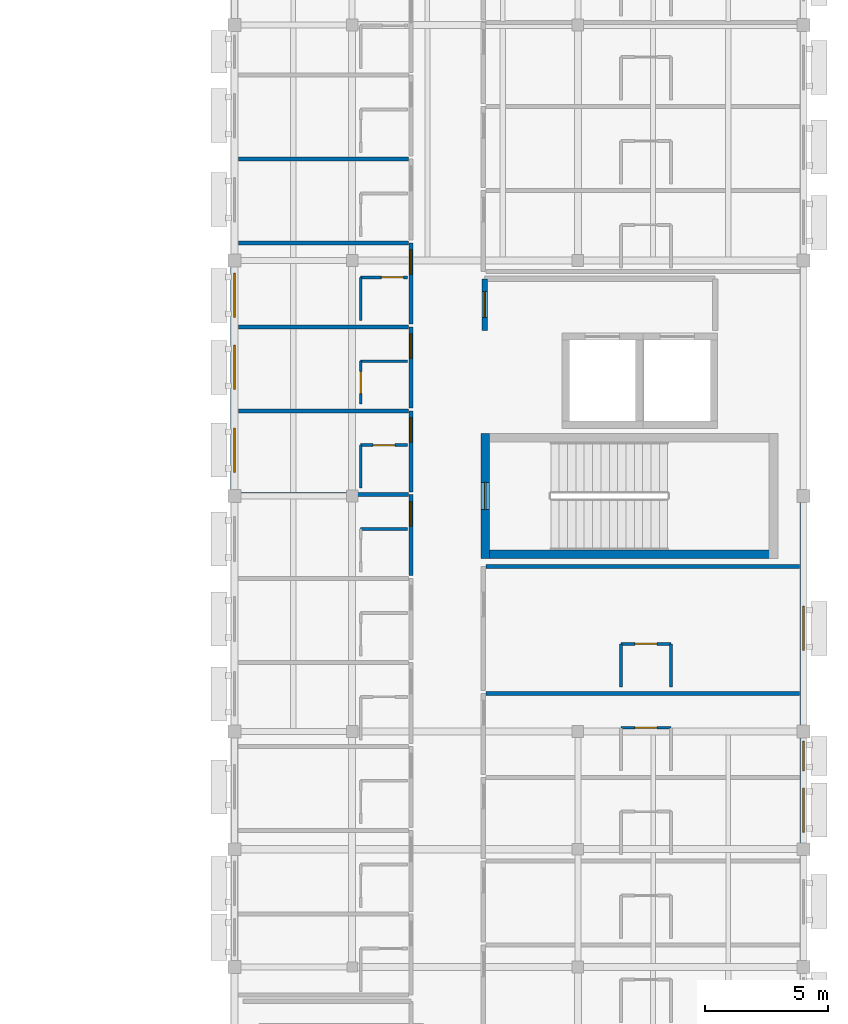
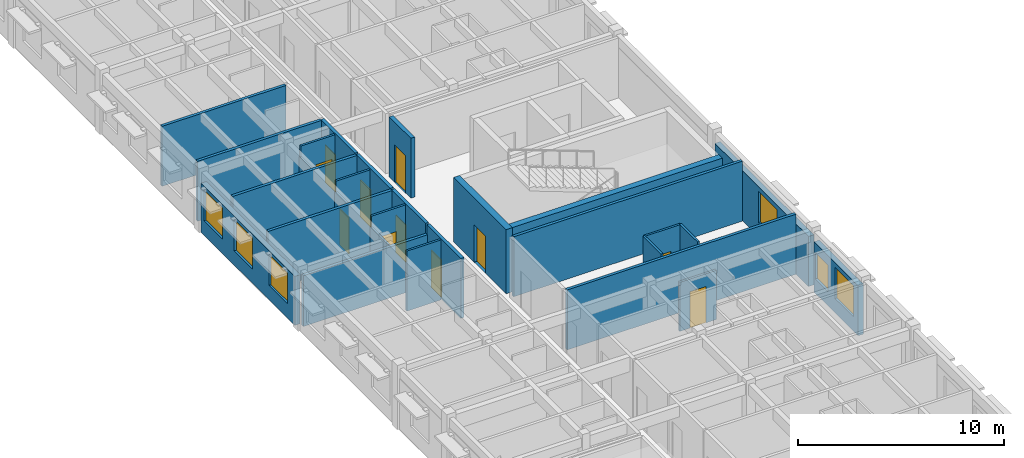
# One storey, part 9 of 22: 28 walls, 11 doors, 6 windows, 17 openings.
"""IFC4 building model written with IfcOpenShell, lengths in metres."""

from ifc_helpers import new_model, si_unit, direction, frame, frame_2d, origin, place, context, subcontext, project, spatial, rectangle, extrude, material, layer, layer_set, type_object, element, fill, save


model = new_model("IFC4")

# Units and contexts
model_context = context("Model", 3, precision=1e-05, world=origin(), true_north=direction((0.0, 1.0)))
body_context = subcontext(model_context, "Body", "Model", "MODEL_VIEW")
ifc_project = project(units=[si_unit("LENGTHUNIT", "METRE"), si_unit("AREAUNIT", "SQUARE_METRE"), si_unit("VOLUMEUNIT", "CUBIC_METRE"), si_unit("PLANEANGLEUNIT", "RADIAN"), si_unit("MASSUNIT", "GRAM", prefix="KILO")], contexts=[model_context])

# Site, building, storey
site_placement = place(None, origin())
site = spatial("IfcSite", under=ifc_project, at=site_placement, CompositionType="ELEMENT")
building_placement = place(site_placement, origin())
building = spatial("IfcBuilding", under=site, at=building_placement, Name="Veldera Park Congress Hotel", CompositionType="ELEMENT")
storey_placement = place(building_placement, frame((0.0, 0.0, 23.800048828125)))
storey = spatial("IfcBuildingStorey", under=building, at=storey_placement, Name="L05", CompositionType="ELEMENT", Elevation=23.800048828125)

# Wall, openings, windows
ifc_material_1 = material(Name="Cross-laminated timber CLT V2M1.1", Category="wood")
ifc_layer_1 = layer(ifc_material_1, 0.300048828125)
ifc_layer_set_1 = layer_set([ifc_layer_1], Name="Cross-laminated timber CLT V2M1.1")
wall_type_1 = type_object("IfcWallType", Name="EW-CLT300", PredefinedType="STANDARD", material=ifc_layer_set_1)
wall_1_placement = place(storey_placement, frame((84.0, -23.14208984375, 0.0), z_axis=(0.0, 0.0, 1.0), x_axis=(0.0, 1.0, 0.0)))
wall_1 = element("IfcWall", 1, at=wall_1_placement, inside=storey, type_object=wall_type_1, Name="L05 Exterior Wall EW3-L05-0281", PredefinedType="STANDARD", context=body_context, shape_type="SweptSolid", body=[
    extrude(rectangle(XDim=4.2841796875, YDim=0.300048828125, at=frame_2d((2.14208984375, 0.0))), origin(), (0.0, 0.0, 1.0), 2.96484375),
])
opening_1_placement = place(wall_1_placement, frame((0.43603515625, 0.0, 0.85009765625)))
opening_1 = element("IfcOpeningElement", 2, at=opening_1_placement, cuts=wall_1, Name="Opening WIN-1800", PredefinedType="OPENING", context=body_context, shape_type="SweptSolid", body=[
    extrude(rectangle(XDim=1.800048828125, YDim=1.85009765625, at=frame_2d((0.89990234375, 0.925048828125))), frame((0.0, 0.162109375, 0.0), z_axis=(0.0, -1.0, 0.0), x_axis=(1.0, 0.0, 0.0)), (0.0, 0.0, 1.0), 0.323974609375),
])
opening_2_placement = place(wall_1_placement, frame((2.93798828125, 0.0, 0.85009765625)))
opening_2 = element("IfcOpeningElement", 3, at=opening_2_placement, cuts=wall_1, Name="Opening WIN-1200", PredefinedType="OPENING", context=body_context, shape_type="SweptSolid", body=[
    extrude(rectangle(XDim=1.199951171875, YDim=1.550048828125, at=frame_2d((0.60009765625, 0.77490234375))), frame((0.0, 0.162109375, 0.0), z_axis=(0.0, -1.0, 0.0), x_axis=(1.0, 0.0, 0.0)), (0.0, 0.0, 1.0), 0.323974609375),
])
ifc_material_2 = material(Name="Low-E Triple Insulating Glass Unit (SHGC 0.22)", Category="glass")
window_type_1 = type_object("IfcWindowType", Name="WIN-1200", PartitioningType="SINGLE_PANEL", PredefinedType="WINDOW", material=ifc_material_2)
window_1_placement = place(opening_2_placement, origin())
window_1 = element("IfcWindow", 4, at=window_1_placement, inside=storey, type_object=window_type_1, Name="L05 Window WIN-1200 497", OverallHeight=1.550048828125, OverallWidth=1.199951171875, PartitioningType="SINGLE_PANEL", PredefinedType="WINDOW", context=body_context, shape_type="SweptSolid", body=[
    extrude(rectangle(XDim=1.199951171875, YDim=1.550048828125, at=frame_2d((0.60009765625, 0.77490234375))), frame((0.0, 0.030029296875, 0.0), z_axis=(0.0, -1.0, 0.0), x_axis=(1.0, 0.0, 0.0)), (0.0, 0.0, 1.0), 0.06005859375),
])
fill(opening_2, window_1)
window_type_2 = type_object("IfcWindowType", Name="WIN-1800", PartitioningType="SINGLE_PANEL", PredefinedType="WINDOW", material=ifc_material_2)
window_2_placement = place(opening_1_placement, origin())
window_2 = element("IfcWindow", 5, at=window_2_placement, inside=storey, type_object=window_type_2, Name="L05 Window WIN-1800 496", OverallHeight=1.85009765625, OverallWidth=1.800048828125, PartitioningType="SINGLE_PANEL", PredefinedType="WINDOW", context=body_context, shape_type="SweptSolid", body=[
    extrude(rectangle(XDim=1.800048828125, YDim=1.85009765625, at=frame_2d((0.89990234375, 0.925048828125))), frame((0.0, 0.030029296875, 0.0), z_axis=(0.0, -1.0, 0.0), x_axis=(1.0, 0.0, 0.0)), (0.0, 0.0, 1.0), 0.06005859375),
])
fill(opening_1, window_2)

# Wall, opening, window
wall_2_placement = place(storey_placement, frame((84.0, -18.342041015625, 0.0), z_axis=(0.0, 0.0, 1.0), x_axis=(0.0, 1.0, 0.0)))
wall_2 = element("IfcWall", 6, at=wall_2_placement, inside=storey, type_object=wall_type_1, Name="L05 Exterior Wall EW3-L05-0282", PredefinedType="STANDARD", context=body_context, shape_type="SweptSolid", body=[
    extrude(rectangle(XDim=9.083984375, YDim=0.300048828125, at=frame_2d((4.5419921875, 0.0))), origin(), (0.0, 0.0, 1.0), 2.96484375),
])
opening_3_placement = place(wall_2_placement, frame((3.0419921875, 0.0, 0.85009765625)))
opening_3 = element("IfcOpeningElement", 7, at=opening_3_placement, cuts=wall_2, Name="Opening WIN-1800", PredefinedType="OPENING", context=body_context, shape_type="SweptSolid", body=[
    extrude(rectangle(XDim=1.800048828125, YDim=1.85009765625, at=frame_2d((0.89990234375, 0.925048828125))), frame((0.0, 0.162109375, 0.0), z_axis=(0.0, -1.0, 0.0), x_axis=(1.0, 0.0, 0.0)), (0.0, 0.0, 1.0), 0.323974609375),
])
window_3_placement = place(opening_3_placement, origin())
window_3 = element("IfcWindow", 8, at=window_3_placement, inside=storey, type_object=window_type_2, Name="L05 Window WIN-1800 498", OverallHeight=1.85009765625, OverallWidth=1.800048828125, PartitioningType="SINGLE_PANEL", PredefinedType="WINDOW", context=body_context, shape_type="SweptSolid", body=[
    extrude(rectangle(XDim=1.800048828125, YDim=1.85009765625, at=frame_2d((0.89990234375, 0.925048828125))), frame((0.0, 0.030029296875, 0.0), z_axis=(0.0, -1.0, 0.0), x_axis=(1.0, 0.0, 0.0)), (0.0, 0.0, 1.0), 0.06005859375),
])
fill(opening_3, window_3)

# Wall, openings, windows
wall_3_placement = place(storey_placement, frame((60.800048828125, 0.342041015625, 0.0), z_axis=(0.0, 0.0, 1.0), x_axis=(0.0, -1.0, 0.0)))
wall_3 = element("IfcWall", 9, at=wall_3_placement, inside=storey, type_object=wall_type_1, Name="L05 Exterior Wall EW3-L05-0303", PredefinedType="STANDARD", context=body_context, shape_type="SweptSolid", body=[
    extrude(rectangle(XDim=9.083984375, YDim=0.300048828125, at=frame_2d((4.5419921875, 0.0))), origin(), (0.0, 0.0, 1.0), 2.905029296875),
])
opening_4_placement = place(wall_3_placement, frame((6.577880859375, 0.0, 0.85009765625)))
opening_4 = element("IfcOpeningElement", 10, at=opening_4_placement, cuts=wall_3, Name="Opening WIN-1800", PredefinedType="OPENING", context=body_context, shape_type="SweptSolid", body=[
    extrude(rectangle(XDim=1.800048828125, YDim=1.85009765625, at=frame_2d((0.89990234375, 0.925048828125))), frame((0.0, 0.162109375, 0.0), z_axis=(0.0, -1.0, 0.0), x_axis=(1.0, 0.0, 0.0)), (0.0, 0.0, 1.0), 0.323974609375),
])
opening_5_placement = place(wall_3_placement, frame((3.201904296875, 0.0, 0.85009765625)))
opening_5 = element("IfcOpeningElement", 11, at=opening_5_placement, cuts=wall_3, Name="Opening WIN-1800", PredefinedType="OPENING", context=body_context, shape_type="SweptSolid", body=[
    extrude(rectangle(XDim=1.800048828125, YDim=1.85009765625, at=frame_2d((0.89990234375, 0.925048828125))), frame((0.0, 0.162109375, 0.0), z_axis=(0.0, -1.0, 0.0), x_axis=(1.0, 0.0, 0.0)), (0.0, 0.0, 1.0), 0.323974609375),
])
opening_6_placement = place(wall_3_placement, frame((0.26611328125, 0.0, 0.85009765625)))
opening_6 = element("IfcOpeningElement", 12, at=opening_6_placement, cuts=wall_3, Name="Opening WIN-1800", PredefinedType="OPENING", context=body_context, shape_type="SweptSolid", body=[
    extrude(rectangle(XDim=1.800048828125, YDim=1.85009765625, at=frame_2d((0.89990234375, 0.925048828125))), frame((0.0, 0.162109375, 0.0), z_axis=(0.0, -1.0, 0.0), x_axis=(1.0, 0.0, 0.0)), (0.0, 0.0, 1.0), 0.323974609375),
])
window_4_placement = place(opening_4_placement, origin())
window_4 = element("IfcWindow", 13, at=window_4_placement, inside=storey, type_object=window_type_2, Name="L05 Window WIN-1800 482", OverallHeight=1.85009765625, OverallWidth=1.800048828125, PartitioningType="SINGLE_PANEL", PredefinedType="WINDOW", context=body_context, shape_type="SweptSolid", body=[
    extrude(rectangle(XDim=1.800048828125, YDim=1.85009765625, at=frame_2d((0.89990234375, 0.925048828125))), frame((0.0, 0.030029296875, 0.0), z_axis=(0.0, -1.0, 0.0), x_axis=(1.0, 0.0, 0.0)), (0.0, 0.0, 1.0), 0.06005859375),
])
fill(opening_4, window_4)
window_5_placement = place(opening_5_placement, origin())
window_5 = element("IfcWindow", 14, at=window_5_placement, inside=storey, type_object=window_type_2, Name="L05 Window WIN-1800 483", OverallHeight=1.85009765625, OverallWidth=1.800048828125, PartitioningType="SINGLE_PANEL", PredefinedType="WINDOW", context=body_context, shape_type="SweptSolid", body=[
    extrude(rectangle(XDim=1.800048828125, YDim=1.85009765625, at=frame_2d((0.89990234375, 0.925048828125))), frame((0.0, 0.030029296875, 0.0), z_axis=(0.0, -1.0, 0.0), x_axis=(1.0, 0.0, 0.0)), (0.0, 0.0, 1.0), 0.06005859375),
])
fill(opening_5, window_5)
window_6_placement = place(opening_6_placement, origin())
window_6 = element("IfcWindow", 15, at=window_6_placement, inside=storey, type_object=window_type_2, Name="L05 Window WIN-1800 484", OverallHeight=1.85009765625, OverallWidth=1.800048828125, PartitioningType="SINGLE_PANEL", PredefinedType="WINDOW", context=body_context, shape_type="SweptSolid", body=[
    extrude(rectangle(XDim=1.800048828125, YDim=1.85009765625, at=frame_2d((0.89990234375, 0.925048828125))), frame((0.0, 0.030029296875, 0.0), z_axis=(0.0, -1.0, 0.0), x_axis=(1.0, 0.0, 0.0)), (0.0, 0.0, 1.0), 0.06005859375),
])
fill(opening_6, window_6)

# Walls
ifc_material_3 = material(Name="Fire-Rated Gypsum Board on Cold-Formed Steel Studs", Category="steel")
ifc_layer_2 = layer(ifc_material_3, 0.1201171875)
ifc_layer_set_2 = layer_set([ifc_layer_2], Name="Fire-Rated Gypsum Board on Cold-Formed Steel Studs")
wall_type_2 = type_object("IfcWallType", Name="IW-BATH120", PredefinedType="PARTITIONING", material=ifc_layer_set_2)
wall_4_placement = place(storey_placement, frame((65.949951171875, -10.35009765625, 0.0), z_axis=(0.0, 0.0, 1.0), x_axis=(1.0, 0.0, 0.0)))
element("IfcWall", 16, at=wall_4_placement, inside=storey, type_object=wall_type_2, Name="L05 Partition Wall IW3-L05-01032", PredefinedType="PARTITIONING", context=body_context, shape_type="SweptSolid", body=[
    extrude(rectangle(XDim=1.900146484375, YDim=0.1201171875, at=frame_2d((0.9501953125, 0.0))), origin(), (0.0, 0.0, 1.0), 3.550048828125),
])
wall_5_placement = place(storey_placement, frame((65.949951171875, -8.679931640625, 0.0), z_axis=(0.0, 0.0, 1.0), x_axis=(0.0, 1.0, 0.0)))
element("IfcWall", 17, at=wall_5_placement, inside=storey, type_object=wall_type_2, Name="L05 Partition Wall IW3-L05-01035", PredefinedType="PARTITIONING", context=body_context, shape_type="SweptSolid", body=[
    extrude(rectangle(XDim=1.75, YDim=0.1201171875, at=frame_2d((0.875, 0.0))), origin(), (0.0, 0.0, 1.0), 2.905029296875),
])

# Wall, opening, door
wall_6_placement = place(storey_placement, frame((65.949951171875, -6.929931640625, 0.0), z_axis=(0.0, 0.0, 1.0), x_axis=(1.0, 0.0, 0.0)))
wall_6 = element("IfcWall", 18, at=wall_6_placement, inside=storey, type_object=wall_type_2, Name="L05 Partition Wall IW3-L05-01036", PredefinedType="PARTITIONING", context=body_context, shape_type="SweptSolid", body=[
    extrude(rectangle(XDim=1.900146484375, YDim=0.1201171875, at=frame_2d((0.9501953125, 0.0))), origin(), (0.0, 0.0, 1.0), 3.550048828125),
])
opening_7_placement = place(wall_6_placement, frame((0.5, 0.0, 0.0)))
opening_7 = element("IfcOpeningElement", 19, at=opening_7_placement, cuts=wall_6, Name="Opening ID-BATH090", PredefinedType="OPENING", context=body_context, shape_type="SweptSolid", body=[
    extrude(rectangle(XDim=0.89990234375, YDim=2.14990234375, at=frame_2d((0.449951171875, 1.074951171875))), frame((0.0, 0.072021484375, 0.0), z_axis=(0.0, -1.0, 0.0), x_axis=(1.0, 0.0, 0.0)), (0.0, 0.0, 1.0), 0.14404296875),
])
ifc_material_4 = material(Name="Solid Core White Oak Architectural Door", Category="wood")
door_type_1 = type_object("IfcDoorType", Name="ID-BATH090", OperationType="NOTDEFINED", PredefinedType="DOOR", material=ifc_material_4)
door_1_placement = place(opening_7_placement, origin())
door_1 = element("IfcDoor", 20, at=door_1_placement, inside=storey, type_object=door_type_1, Name="L05 En-suite 145 Door ID3-L05-0429 (DR3-ID3-L05-0429)", OperationType="SINGLE_SWING_LEFT", OverallHeight=2.14990234375, OverallWidth=0.89990234375, PredefinedType="DOOR", context=body_context, shape_type="SweptSolid", body=[
    extrude(rectangle(XDim=0.89990234375, YDim=2.14990234375, at=frame_2d((0.449951171875, 1.074951171875))), frame((0.0, 0.02490234375, 0.0), z_axis=(0.0, -1.0, 0.0), x_axis=(1.0, 0.0, 0.0)), (0.0, 0.0, 1.0), 0.050048828125),
])
fill(opening_7, door_1)

wall_7_placement = place(storey_placement, frame((65.949951171875, -5.260009765625, 0.0), z_axis=(0.0, 0.0, 1.0), x_axis=(0.0, 1.0, 0.0)))
wall_7 = element("IfcWall", 21, at=wall_7_placement, inside=storey, type_object=wall_type_2, Name="L05 Partition Wall IW3-L05-01039", PredefinedType="PARTITIONING", context=body_context, shape_type="SweptSolid", body=[
    extrude(rectangle(XDim=1.75, YDim=0.1201171875, at=frame_2d((0.875, 0.0))), origin(), (0.0, 0.0, 1.0), 2.905029296875),
])
opening_8_placement = place(wall_7_placement, frame((0.425048828125, 0.0, 0.0)))
opening_8 = element("IfcOpeningElement", 22, at=opening_8_placement, cuts=wall_7, Name="Opening ID-BATH090", PredefinedType="OPENING", context=body_context, shape_type="SweptSolid", body=[
    extrude(rectangle(XDim=0.89990234375, YDim=2.14990234375, at=frame_2d((0.449951171875, 1.074951171875))), frame((0.0, 0.072021484375, 0.0), z_axis=(0.0, -1.0, 0.0), x_axis=(1.0, 0.0, 0.0)), (0.0, 0.0, 1.0), 0.14404296875),
])
door_2_placement = place(opening_8_placement, origin())
door_2 = element("IfcDoor", 23, at=door_2_placement, inside=storey, type_object=door_type_1, Name="L05 En-suite 146 Door ID3-L05-0431 (DR3-ID3-L05-0431)", OperationType="SINGLE_SWING_LEFT", OverallHeight=2.14990234375, OverallWidth=0.89990234375, PredefinedType="DOOR", context=body_context, shape_type="SweptSolid", body=[
    extrude(rectangle(XDim=0.89990234375, YDim=2.14990234375, at=frame_2d((0.449951171875, 1.074951171875))), frame((0.0, 0.02490234375, 0.0), z_axis=(0.0, -1.0, 0.0), x_axis=(1.0, 0.0, 0.0)), (0.0, 0.0, 1.0), 0.050048828125),
])
fill(opening_8, door_2)

# Walls
wall_8_placement = place(storey_placement, frame((65.949951171875, -3.510009765625, 0.0), z_axis=(0.0, 0.0, 1.0), x_axis=(1.0, 0.0, 0.0)))
element("IfcWall", 24, at=wall_8_placement, inside=storey, type_object=wall_type_2, Name="L05 Partition Wall IW3-L05-01040", PredefinedType="PARTITIONING", context=body_context, shape_type="SweptSolid", body=[
    extrude(rectangle(XDim=1.900146484375, YDim=0.1201171875, at=frame_2d((0.9501953125, 0.0))), origin(), (0.0, 0.0, 1.0), 3.550048828125),
])
wall_9_placement = place(storey_placement, frame((65.949951171875, -1.840087890625, 0.0), z_axis=(0.0, 0.0, 1.0), x_axis=(0.0, 1.0, 0.0)))
element("IfcWall", 25, at=wall_9_placement, inside=storey, type_object=wall_type_2, Name="L05 Partition Wall IW3-L05-01043", PredefinedType="PARTITIONING", context=body_context, shape_type="SweptSolid", body=[
    extrude(rectangle(XDim=1.75, YDim=0.1201171875, at=frame_2d((0.875, 0.0))), origin(), (0.0, 0.0, 1.0), 2.905029296875),
])

# Wall, opening, door
wall_10_placement = place(storey_placement, frame((65.949951171875, -0.090087890625, 0.0), z_axis=(0.0, 0.0, 1.0), x_axis=(1.0, 0.0, 0.0)))
wall_10 = element("IfcWall", 26, at=wall_10_placement, inside=storey, type_object=wall_type_2, Name="L05 Partition Wall IW3-L05-01044", PredefinedType="PARTITIONING", context=body_context, shape_type="SweptSolid", body=[
    extrude(rectangle(XDim=1.900146484375, YDim=0.1201171875, at=frame_2d((0.9501953125, 0.0))), origin(), (0.0, 0.0, 1.0), 3.550048828125),
])
opening_9_placement = place(wall_10_placement, frame((0.842041015625, 0.0, 0.0)))
opening_9 = element("IfcOpeningElement", 27, at=opening_9_placement, cuts=wall_10, Name="Opening ID-BATH090", PredefinedType="OPENING", context=body_context, shape_type="SweptSolid", body=[
    extrude(rectangle(XDim=0.89990234375, YDim=2.14990234375, at=frame_2d((0.449951171875, 1.074951171875))), frame((0.0, 0.072021484375, 0.0), z_axis=(0.0, -1.0, 0.0), x_axis=(1.0, 0.0, 0.0)), (0.0, 0.0, 1.0), 0.14404296875),
])
door_3_placement = place(opening_9_placement, origin())
door_3 = element("IfcDoor", 28, at=door_3_placement, inside=storey, type_object=door_type_1, Name="L05 En-suite 147 Door ID3-L05-0433 (DR3-ID3-L05-0433)", OperationType="SINGLE_SWING_LEFT", OverallHeight=2.14990234375, OverallWidth=0.89990234375, PredefinedType="DOOR", context=body_context, shape_type="SweptSolid", body=[
    extrude(rectangle(XDim=0.89990234375, YDim=2.14990234375, at=frame_2d((0.449951171875, 1.074951171875))), frame((0.0, 0.02490234375, 0.0), z_axis=(0.0, -1.0, 0.0), x_axis=(1.0, 0.0, 0.0)), (0.0, 0.0, 1.0), 0.050048828125),
])
fill(opening_9, door_3)

wall_11_placement = place(storey_placement, frame((76.550048828125, -18.449951171875, 0.0), z_axis=(0.0, 0.0, 1.0), x_axis=(1.0, 0.0, 0.0)))
wall_11 = element("IfcWall", 29, at=wall_11_placement, inside=storey, type_object=wall_type_2, Name="L05 Partition Wall IW3-L05-01107", PredefinedType="PARTITIONING", context=body_context, shape_type="SweptSolid", body=[
    extrude(rectangle(XDim=2.050048828125, YDim=0.1201171875, at=frame_2d((1.02490234375, 0.0))), origin(), (0.0, 0.0, 1.0), 2.905029296875),
])
opening_10_placement = place(wall_11_placement, frame((0.574951171875, 0.0, 0.0)))
opening_10 = element("IfcOpeningElement", 30, at=opening_10_placement, cuts=wall_11, Name="Opening ID-BATH090", PredefinedType="OPENING", context=body_context, shape_type="SweptSolid", body=[
    extrude(rectangle(XDim=0.89990234375, YDim=2.14990234375, at=frame_2d((0.449951171875, 1.074951171875))), frame((0.0, 0.072021484375, 0.0), z_axis=(0.0, -1.0, 0.0), x_axis=(1.0, 0.0, 0.0)), (0.0, 0.0, 1.0), 0.14404296875),
])
door_4_placement = place(opening_10_placement, origin())
door_4 = element("IfcDoor", 31, at=door_4_placement, inside=storey, type_object=door_type_1, Name="L05 En-suite 161 Door ID3-L05-0461 (DR3-ID3-L05-0461)", OperationType="SINGLE_SWING_LEFT", OverallHeight=2.14990234375, OverallWidth=0.89990234375, PredefinedType="DOOR", context=body_context, shape_type="SweptSolid", body=[
    extrude(rectangle(XDim=0.89990234375, YDim=2.14990234375, at=frame_2d((0.449951171875, 1.074951171875))), frame((0.0, 0.02490234375, 0.0), z_axis=(0.0, -1.0, 0.0), x_axis=(1.0, 0.0, 0.0)), (0.0, 0.0, 1.0), 0.050048828125),
])
fill(opening_10, door_4)

# Walls
for number, where, z_axis, x_axis, name in (
    (32, (76.550048828125, -16.780029296875, 0.0), (0.0, 0.0, 1.0), (0.0, 1.0, 0.0), "L05 Partition Wall IW3-L05-01110"),
    (33, (78.60009765625, -16.780029296875, 0.0), (0.0, 0.0, 1.0), (0.0, 1.0, 0.0), "L05 Partition Wall IW3-L05-01111"),
):
    element("IfcWall", number, at=place(storey_placement, frame(where, z_axis=z_axis, x_axis=x_axis)), inside=storey, type_object=wall_type_2, Name=name, PredefinedType="PARTITIONING", context=body_context, shape_type="SweptSolid", body=[
        extrude(rectangle(XDim=1.75, YDim=0.1201171875, at=frame_2d((0.875, 0.0))), origin(), (0.0, 0.0, 1.0), 3.550048828125),
    ])

# Wall, opening, door
wall_12_placement = place(storey_placement, frame((76.550048828125, -15.030029296875, 0.0), z_axis=(0.0, 0.0, 1.0), x_axis=(1.0, 0.0, 0.0)))
wall_12 = element("IfcWall", 34, at=wall_12_placement, inside=storey, type_object=wall_type_2, Name="L05 Partition Wall IW3-L05-01112", PredefinedType="PARTITIONING", context=body_context, shape_type="SweptSolid", body=[
    extrude(rectangle(XDim=2.050048828125, YDim=0.1201171875, at=frame_2d((1.02490234375, 0.0))), origin(), (0.0, 0.0, 1.0), 3.550048828125),
])
opening_11_placement = place(wall_12_placement, frame((0.574951171875, 0.0, 0.0)))
opening_11 = element("IfcOpeningElement", 35, at=opening_11_placement, cuts=wall_12, Name="Opening ID-BATH090", PredefinedType="OPENING", context=body_context, shape_type="SweptSolid", body=[
    extrude(rectangle(XDim=0.89990234375, YDim=2.14990234375, at=frame_2d((0.449951171875, 1.074951171875))), frame((0.0, 0.072021484375, 0.0), z_axis=(0.0, -1.0, 0.0), x_axis=(1.0, 0.0, 0.0)), (0.0, 0.0, 1.0), 0.14404296875),
])
door_5_placement = place(opening_11_placement, origin())
door_5 = element("IfcDoor", 36, at=door_5_placement, inside=storey, type_object=door_type_1, Name="L05 En-suite 162 Door ID3-L05-0463 (DR3-ID3-L05-0463)", OperationType="SINGLE_SWING_LEFT", OverallHeight=2.14990234375, OverallWidth=0.89990234375, PredefinedType="DOOR", context=body_context, shape_type="SweptSolid", body=[
    extrude(rectangle(XDim=0.89990234375, YDim=2.14990234375, at=frame_2d((0.449951171875, 1.074951171875))), frame((0.0, 0.02490234375, 0.0), z_axis=(0.0, -1.0, 0.0), x_axis=(1.0, 0.0, 0.0)), (0.0, 0.0, 1.0), 0.050048828125),
])
fill(opening_11, door_5)

ifc_layer_3 = layer(ifc_material_3, 0.179931640625)
ifc_layer_set_3 = layer_set([ifc_layer_3], Name="Fire-Rated Gypsum Board on Cold-Formed Steel Studs")
wall_type_3 = type_object("IfcWallType", Name="IW-CORR180", PredefinedType="PARTITIONING", material=ifc_layer_set_3)
wall_13_placement = place(storey_placement, frame((68.0, -12.25, 0.0), z_axis=(0.0, 0.0, 1.0), x_axis=(0.0, 1.0, 0.0)))
wall_13 = element("IfcWall", 37, at=wall_13_placement, inside=storey, type_object=wall_type_3, Name="L05 Corridor Wall IW3-L05-01029", PredefinedType="PARTITIONING", context=body_context, shape_type="SweptSolid", body=[
    extrude(rectangle(XDim=3.300048828125, YDim=0.179931640625, at=frame_2d((1.64990234375, 0.0))), origin(), (0.0, 0.0, 1.0), 3.550048828125),
])
opening_12_placement = place(wall_13_placement, frame((2.02001953125, 0.0, 0.0)))
opening_12 = element("IfcOpeningElement", 38, at=opening_12_placement, cuts=wall_13, Name="Opening ID-UNIT100", PredefinedType="OPENING", context=body_context, shape_type="SweptSolid", body=[
    extrude(rectangle(XDim=1.0, YDim=2.199951171875, at=frame_2d((0.5, 1.10009765625))), frame((0.0, 0.10205078125, 0.0), z_axis=(0.0, -1.0, 0.0), x_axis=(1.0, 0.0, 0.0)), (0.0, 0.0, 1.0), 0.203857421875),
])
door_type_2 = type_object("IfcDoorType", Name="ID-UNIT100", OperationType="NOTDEFINED", PredefinedType="DOOR", material=ifc_material_4)
door_6_placement = place(opening_12_placement, origin())
door_6 = element("IfcDoor", 39, at=door_6_placement, inside=storey, type_object=door_type_2, Name="L05 Guestroom 144 Entry Door (DR3-UD3-L05-144)", OperationType="SINGLE_SWING_RIGHT", OverallHeight=2.199951171875, OverallWidth=1.0, PredefinedType="DOOR", context=body_context, shape_type="SweptSolid", body=[
    extrude(rectangle(XDim=1.0, YDim=2.199951171875, at=frame_2d((0.5, 1.10009765625))), frame((0.0, 0.02490234375, 0.0), z_axis=(0.0, -1.0, 0.0), x_axis=(1.0, 0.0, 0.0)), (0.0, 0.0, 1.0), 0.050048828125),
])
fill(opening_12, door_6)

wall_14_placement = place(storey_placement, frame((68.0, -8.830078125, 0.0), z_axis=(0.0, 0.0, 1.0), x_axis=(0.0, 1.0, 0.0)))
wall_14 = element("IfcWall", 40, at=wall_14_placement, inside=storey, type_object=wall_type_3, Name="L05 Corridor Wall IW3-L05-01033", PredefinedType="PARTITIONING", context=body_context, shape_type="SweptSolid", body=[
    extrude(rectangle(XDim=3.300048828125, YDim=0.179931640625, at=frame_2d((1.64990234375, 0.0))), origin(), (0.0, 0.0, 1.0), 3.550048828125),
])
opening_13_placement = place(wall_14_placement, frame((2.02001953125, 0.0, 0.0)))
opening_13 = element("IfcOpeningElement", 41, at=opening_13_placement, cuts=wall_14, Name="Opening ID-UNIT100", PredefinedType="OPENING", context=body_context, shape_type="SweptSolid", body=[
    extrude(rectangle(XDim=1.0, YDim=2.199951171875, at=frame_2d((0.5, 1.10009765625))), frame((0.0, 0.10205078125, 0.0), z_axis=(0.0, -1.0, 0.0), x_axis=(1.0, 0.0, 0.0)), (0.0, 0.0, 1.0), 0.203857421875),
])
door_7_placement = place(opening_13_placement, origin())
door_7 = element("IfcDoor", 42, at=door_7_placement, inside=storey, type_object=door_type_2, Name="L05 Guestroom 145 Entry Door (DR3-UD3-L05-145)", OperationType="SINGLE_SWING_RIGHT", OverallHeight=2.199951171875, OverallWidth=1.0, PredefinedType="DOOR", context=body_context, shape_type="SweptSolid", body=[
    extrude(rectangle(XDim=1.0, YDim=2.199951171875, at=frame_2d((0.5, 1.10009765625))), frame((0.0, 0.02490234375, 0.0), z_axis=(0.0, -1.0, 0.0), x_axis=(1.0, 0.0, 0.0)), (0.0, 0.0, 1.0), 0.050048828125),
])
fill(opening_13, door_7)

wall_15_placement = place(storey_placement, frame((68.0, -5.409912109375, 0.0), z_axis=(0.0, 0.0, 1.0), x_axis=(0.0, 1.0, 0.0)))
wall_15 = element("IfcWall", 43, at=wall_15_placement, inside=storey, type_object=wall_type_3, Name="L05 Corridor Wall IW3-L05-01037", PredefinedType="PARTITIONING", context=body_context, shape_type="SweptSolid", body=[
    extrude(rectangle(XDim=3.2998046875, YDim=0.179931640625, at=frame_2d((1.64990234375, 0.0))), origin(), (0.0, 0.0, 1.0), 3.550048828125),
])
opening_14_placement = place(wall_15_placement, frame((2.02001953125, 0.0, 0.0)))
opening_14 = element("IfcOpeningElement", 44, at=opening_14_placement, cuts=wall_15, Name="Opening ID-UNIT100", PredefinedType="OPENING", context=body_context, shape_type="SweptSolid", body=[
    extrude(rectangle(XDim=1.0, YDim=2.199951171875, at=frame_2d((0.5, 1.10009765625))), frame((0.0, 0.10205078125, 0.0), z_axis=(0.0, -1.0, 0.0), x_axis=(1.0, 0.0, 0.0)), (0.0, 0.0, 1.0), 0.203857421875),
])
door_8_placement = place(opening_14_placement, origin())
door_8 = element("IfcDoor", 45, at=door_8_placement, inside=storey, type_object=door_type_2, Name="L05 Guestroom 146 Entry Door (DR3-UD3-L05-146)", OperationType="SINGLE_SWING_RIGHT", OverallHeight=2.199951171875, OverallWidth=1.0, PredefinedType="DOOR", context=body_context, shape_type="SweptSolid", body=[
    extrude(rectangle(XDim=1.0, YDim=2.199951171875, at=frame_2d((0.5, 1.10009765625))), frame((0.0, 0.02490234375, 0.0), z_axis=(0.0, -1.0, 0.0), x_axis=(1.0, 0.0, 0.0)), (0.0, 0.0, 1.0), 0.050048828125),
])
fill(opening_14, door_8)

wall_16_placement = place(storey_placement, frame((68.0, -1.989990234375, 0.0), z_axis=(0.0, 0.0, 1.0), x_axis=(0.0, 1.0, 0.0)))
wall_16 = element("IfcWall", 46, at=wall_16_placement, inside=storey, type_object=wall_type_3, Name="L05 Corridor Wall IW3-L05-01041", PredefinedType="PARTITIONING", context=body_context, shape_type="SweptSolid", body=[
    extrude(rectangle(XDim=3.300048828125, YDim=0.179931640625, at=frame_2d((1.64990234375, 0.0))), origin(), (0.0, 0.0, 1.0), 3.550048828125),
])
opening_15_placement = place(wall_16_placement, frame((2.02001953125, 0.0, 0.0)))
opening_15 = element("IfcOpeningElement", 47, at=opening_15_placement, cuts=wall_16, Name="Opening ID-UNIT100", PredefinedType="OPENING", context=body_context, shape_type="SweptSolid", body=[
    extrude(rectangle(XDim=1.0, YDim=2.199951171875, at=frame_2d((0.5, 1.10009765625))), frame((0.0, 0.10205078125, 0.0), z_axis=(0.0, -1.0, 0.0), x_axis=(1.0, 0.0, 0.0)), (0.0, 0.0, 1.0), 0.203857421875),
])
door_9_placement = place(opening_15_placement, origin())
door_9 = element("IfcDoor", 48, at=door_9_placement, inside=storey, type_object=door_type_2, Name="L05 Guestroom 147 Entry Door (DR3-UD3-L05-147)", OperationType="SINGLE_SWING_RIGHT", OverallHeight=2.199951171875, OverallWidth=1.0, PredefinedType="DOOR", context=body_context, shape_type="SweptSolid", body=[
    extrude(rectangle(XDim=1.0, YDim=2.199951171875, at=frame_2d((0.5, 1.10009765625))), frame((0.0, 0.02490234375, 0.0), z_axis=(0.0, -1.0, 0.0), x_axis=(1.0, 0.0, 0.0)), (0.0, 0.0, 1.0), 0.050048828125),
])
fill(opening_15, door_9)

ifc_material_5 = material(Name="Concrete f'c 40 MPa (5,800 psi)", Category="concrete")
ifc_layer_4 = layer(ifc_material_5, 0.219970703125)
ifc_layer_set_4 = layer_set([ifc_layer_4], Name="Concrete f'c 40 MPa (5,800 psi)")
wall_type_4 = type_object("IfcWallType", Name="IW-FIRE220", PredefinedType="STANDARD", material=ifc_layer_set_4)
wall_17_placement = place(storey_placement, frame((71.0, -0.14990234375, 0.0), z_axis=(0.0, 0.0, 1.0), x_axis=(0.0, -1.0, 0.0)))
wall_17 = element("IfcWall", 49, at=wall_17_placement, inside=storey, type_object=wall_type_4, Name="L05 Partition Wall IW3-L05-00255", PredefinedType="STANDARD", context=body_context, shape_type="SweptSolid", body=[
    extrude(rectangle(XDim=2.10009765625, YDim=0.219970703125, at=frame_2d((1.050048828125, 0.0))), origin(), (0.0, 0.0, 1.0), 3.550048828125),
])
opening_16_placement = place(wall_17_placement, frame((0.52490234375, 0.0, 0.0)))
opening_16 = element("IfcOpeningElement", 50, at=opening_16_placement, cuts=wall_17, Name="Opening ID-MEET105", PredefinedType="OPENING", context=body_context, shape_type="SweptSolid", body=[
    extrude(rectangle(XDim=1.050048828125, YDim=2.199951171875, at=frame_2d((0.52490234375, 1.10009765625))), frame((0.0, 0.1220703125, 0.0), z_axis=(0.0, -1.0, 0.0), x_axis=(1.0, 0.0, 0.0)), (0.0, 0.0, 1.0), 0.243896484375),
])
door_type_3 = type_object("IfcDoorType", Name="ID-MEET105", OperationType="NOTDEFINED", PredefinedType="DOOR", material=ifc_material_4)
door_10_placement = place(opening_16_placement, origin())
door_10 = element("IfcDoor", 51, at=door_10_placement, inside=storey, type_object=door_type_3, Name="L05 Service Lift Lobby Door ID3-L05-0093 (DR3-ID3-L05-0093)", OperationType="SINGLE_SWING_RIGHT", OverallHeight=2.199951171875, OverallWidth=1.050048828125, PredefinedType="DOOR", context=body_context, shape_type="SweptSolid", body=[
    extrude(rectangle(XDim=1.050048828125, YDim=2.199951171875, at=frame_2d((0.52490234375, 1.10009765625))), frame((0.0, 0.02490234375, 0.0), z_axis=(0.0, -1.0, 0.0), x_axis=(1.0, 0.0, 0.0)), (0.0, 0.0, 1.0), 0.050048828125),
])
fill(opening_16, door_10)

# Walls
ifc_layer_5 = layer(ifc_material_1, 0.159912109375)
ifc_layer_set_5 = layer_set([ifc_layer_5], Name="Cross-laminated timber CLT V2M1.1")
wall_type_5 = type_object("IfcWallType", Name="IW-UNIT160", PredefinedType="PARTITIONING", material=ifc_layer_set_5)
wall_18_placement = place(storey_placement, frame((60.9599609375, -8.949951171875, 0.0), z_axis=(0.0, 0.0, 1.0), x_axis=(1.0, 0.0, 0.0)))
element("IfcWall", 52, at=wall_18_placement, inside=storey, type_object=wall_type_5, Name="L05 Partition Wall IW3-L05-01030", PredefinedType="PARTITIONING", context=body_context, shape_type="SweptSolid", body=[
    extrude(rectangle(XDim=6.93994140625, YDim=0.159912109375, at=frame_2d((3.469970703125, 0.0))), origin(), (0.0, 0.0, 1.0), 3.0048828125),
])
for number, where, z_axis, x_axis, name in (
    (53, (60.9599609375, -5.530029296875, 0.0), (0.0, 0.0, 1.0), (1.0, 0.0, 0.0), "L05 Partition Wall IW3-L05-01034"),
    (54, (60.9599609375, -2.110107421875, 0.0), (0.0, 0.0, 1.0), (1.0, 0.0, 0.0), "L05 Partition Wall IW3-L05-01038"),
    (55, (60.9599609375, 1.31005859375, 0.0), (0.0, 0.0, 1.0), (1.0, 0.0, 0.0), "L05 Partition Wall IW3-L05-01042"),
    (56, (60.9599609375, 4.72998046875, 0.0), (0.0, 0.0, 1.0), (1.0, 0.0, 0.0), "L05 Partition Wall IW3-L05-01046"),
):
    element("IfcWall", number, at=place(storey_placement, frame(where, z_axis=z_axis, x_axis=x_axis)), inside=storey, type_object=wall_type_5, Name=name, PredefinedType="PARTITIONING", context=body_context, shape_type="SweptSolid", body=[
        extrude(rectangle(XDim=6.93994140625, YDim=0.159912109375, at=frame_2d((3.469970703125, 0.0))), origin(), (0.0, 0.0, 1.0), 3.550048828125),
    ])
for number, where, z_axis, x_axis, name in (
    (57, (71.050048828125, -17.050048828125, 0.0), (0.0, 0.0, 1.0), (1.0, 0.0, 0.0), "L05 Partition Wall IW3-L05-01104"),
    (58, (71.050048828125, -11.8701171875, 0.0), (0.0, 0.0, 1.0), (1.0, 0.0, 0.0), "L05 Partition Wall IW3-L05-01109"),
):
    element("IfcWall", number, at=place(storey_placement, frame(where, z_axis=z_axis, x_axis=x_axis)), inside=storey, type_object=wall_type_5, Name=name, PredefinedType="PARTITIONING", context=body_context, shape_type="SweptSolid", body=[
        extrude(rectangle(XDim=12.7900390625, YDim=0.159912109375, at=frame_2d((6.39501953125, 0.0))), origin(), (0.0, 0.0, 1.0), 3.550048828125),
    ])
ifc_layer_6 = layer(ifc_material_5, 0.35009765625)
ifc_layer_set_6 = layer_set([ifc_layer_6], Name="Concrete f'c 40 MPa (5,800 psi)")
wall_type_6 = type_object("IfcWallType", Name="SW-CORE350", PredefinedType="SHEAR", material=ifc_layer_set_6)
wall_19_placement = place(storey_placement, frame((70.85009765625, -11.375, 0.0), z_axis=(0.0, 0.0, 1.0), x_axis=(1.0, 0.0, 0.0)))
element("IfcWall", 59, at=wall_19_placement, inside=storey, type_object=wall_type_6, Name="Stair ST2 Core Wall L05-S", PredefinedType="SHEAR", context=body_context, shape_type="SweptSolid", body=[
    extrude(rectangle(XDim=12.099853515625, YDim=0.35009765625, at=frame_2d((6.0498046875, 0.0))), origin(), (0.0, 0.0, 1.0), 3.800048828125),
])

# Wall, opening, door
wall_20_placement = place(storey_placement, frame((71.02490234375, -6.449951171875, 0.0), z_axis=(0.0, 0.0, 1.0), x_axis=(0.0, -1.0, 0.0)))
wall_20 = element("IfcWall", 60, at=wall_20_placement, inside=storey, type_object=wall_type_6, Name="Stair ST2 Core Wall L05-W", PredefinedType="SHEAR", context=body_context, shape_type="SweptSolid", body=[
    extrude(rectangle(XDim=5.10009765625, YDim=0.35009765625, at=frame_2d((2.550048828125, 0.0))), origin(), (0.0, 0.0, 1.0), 3.800048828125),
])
opening_17_placement = place(wall_20_placement, frame((2.0, 0.0, 0.0)))
opening_17 = element("IfcOpeningElement", 61, at=opening_17_placement, cuts=wall_20, Name="Opening ID-STAIR110", PredefinedType="OPENING", context=body_context, shape_type="SweptSolid", body=[
    extrude(rectangle(XDim=1.10009765625, YDim=2.199951171875, at=frame_2d((0.550048828125, 1.10009765625))), frame((0.0, 0.18701171875, 0.0), z_axis=(0.0, -1.0, 0.0), x_axis=(1.0, 0.0, 0.0)), (0.0, 0.0, 1.0), 0.3740234375),
])
ifc_material_6 = material(Name="Hollow Metal Fire-Rated Steel Door", Category="steel")
door_type_4 = type_object("IfcDoorType", Name="ID-STAIR110", OperationType="NOTDEFINED", PredefinedType="DOOR", material=ifc_material_6)
door_11_placement = place(opening_17_placement, origin())
door_11 = element("IfcDoor", 62, at=door_11_placement, inside=storey, type_object=door_type_4, Name="L05 Stair ST2 Fire Door (DR3-SD-ST2-L05)", OperationType="SINGLE_SWING_RIGHT", OverallHeight=2.199951171875, OverallWidth=1.10009765625, PredefinedType="DOOR", context=body_context, shape_type="SweptSolid", body=[
    extrude(rectangle(XDim=1.10009765625, YDim=2.199951171875, at=frame_2d((0.550048828125, 1.10009765625))), frame((0.0, 0.02490234375, 0.0), z_axis=(0.0, -1.0, 0.0), x_axis=(1.0, 0.0, 0.0)), (0.0, 0.0, 1.0), 0.050048828125),
])
fill(opening_17, door_11)

save(model, "model.ifc")
